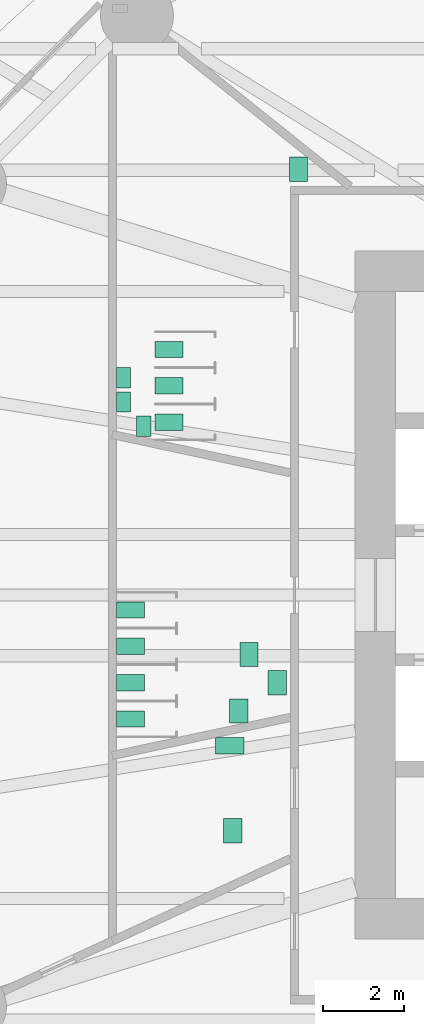
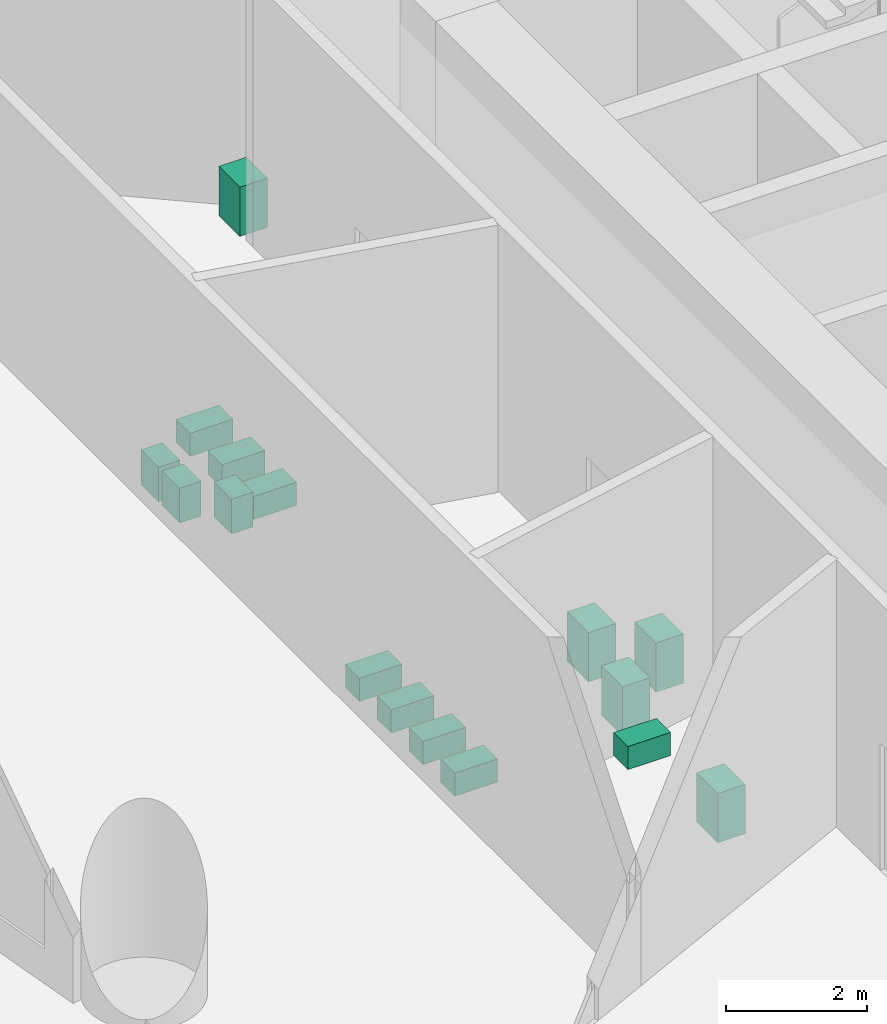
# One storey, part 16 of 17: 16 sanitary terminals.
"""IFC4 building model written with IfcOpenShell, lengths in metres."""

from ifc_helpers import new_model, si_unit, direction, frame, origin, origin_2d, place, context, subcontext, project, spatial, rectangle, extrude, element, save


model = new_model("IFC4")

# Units and contexts
model_context = context("Model", 3, precision=1e-05, world=origin(), true_north=direction((0.0, 1.0)))
body_context = subcontext(model_context, "Body", "Model", "MODEL_VIEW")
ifc_project = project(units=[si_unit("LENGTHUNIT", "METRE"), si_unit("AREAUNIT", "SQUARE_METRE"), si_unit("VOLUMEUNIT", "CUBIC_METRE"), si_unit("PLANEANGLEUNIT", "RADIAN"), si_unit("MASSUNIT", "GRAM", prefix="KILO")], contexts=[model_context])

# Site, building, storey
site_placement = place(None, origin())
site = spatial("IfcSite", under=ifc_project, at=site_placement, CompositionType="ELEMENT")
building_placement = place(site_placement, origin())
building = spatial("IfcBuilding", under=site, at=building_placement, Name="Hankou Lantern Tower", CompositionType="ELEMENT")
storey_placement = place(building_placement, frame((0.0, 0.0, 24.60009765625)))
storey = spatial("IfcBuildingStorey", under=building, at=storey_placement, Name="L04", CompositionType="ELEMENT", Elevation=24.60009765625)

# Sanitary terminals
for number, where, z_axis, x_axis, name in (
    (1, (-17.10009765625, 4.2724609375, 0.0), (0.0, 0.0, 1.0), (0.0, 1.0, 0.0), "Male WC WC pan 1"),
    (2, (-17.10009765625, 5.172607421875, 0.0), (0.0, 0.0, 1.0), (0.0, 1.0, 0.0), "Male WC WC pan 2"),
    (3, (-17.10009765625, 6.072509765625, 0.0), (0.0, 0.0, 1.0), (0.0, 1.0, 0.0), "Male WC WC pan 3"),
):
    element("IfcSanitaryTerminal", number, at=place(storey_placement, frame(where, z_axis=z_axis, x_axis=x_axis)), inside=storey, Name=name, PredefinedType="TOILETPAN", context=body_context, shape_type="SweptSolid", body=[
        extrude(rectangle(XDim=0.39990234375, YDim=0.699951171875, at=origin_2d()), origin(), (0.0, 0.0, 1.0), 0.39990234375),
    ])
for number, where, z_axis, x_axis, name in (
    (4, (-17.72509765625, 4.172607421875, -0.000244140625), (0.0, 0.0, 1.0), (0.0, 1.0, 0.0), "Male WC urinal 1"),
    (5, (-18.22509765625, 4.7724609375, -0.000244140625), (0.0, 0.0, 1.0), (0.0, 1.0, 0.0), "Male WC urinal 2"),
    (6, (-18.22509765625, 5.37255859375, -0.000244140625), (0.0, 0.0, 1.0), (0.0, 1.0, 0.0), "Male WC urinal 3"),
):
    element("IfcSanitaryTerminal", number, at=place(storey_placement, frame(where, z_axis=z_axis, x_axis=x_axis)), inside=storey, Name=name, PredefinedType="URINAL", context=body_context, shape_type="SweptSolid", body=[
        extrude(rectangle(XDim=0.5, YDim=0.35009765625, at=origin_2d()), origin(), (0.0, 0.0, 1.0), 0.60009765625),
    ])
sanitary_terminal_1_placement = place(storey_placement, frame((-13.89990234375, 10.5224609375, -0.000244140625), z_axis=(0.0, 0.0, 1.0), x_axis=(0.0, 1.0, 0.0)))
element("IfcSanitaryTerminal", 7, at=sanitary_terminal_1_placement, inside=storey, Name="Male WC wash basin 1", PredefinedType="WASHHANDBASIN", context=body_context, shape_type="SweptSolid", body=[
    extrude(rectangle(XDim=0.60009765625, YDim=0.449951171875, at=origin_2d()), origin(), (0.0, 0.0, 1.0), 0.85009765625),
])
for number, where, z_axis, x_axis, name in (
    (8, (-18.050048828125, -3.065673828125, 0.0), (0.0, 0.0, 1.0), (0.0, 1.0, 0.0), "Female WC WC pan 1"),
    (9, (-18.050048828125, -2.16552734375, 0.0), (0.0, 0.0, 1.0), (0.0, 1.0, 0.0), "Female WC WC pan 2"),
    (10, (-18.050048828125, -1.265625, 0.0), (0.0, 0.0, 1.0), (0.0, 1.0, 0.0), "Female WC WC pan 3"),
    (11, (-18.050048828125, -0.365478515625, 0.0), (0.0, 0.0, 1.0), (0.0, 1.0, 0.0), "Female WC WC pan 4"),
):
    element("IfcSanitaryTerminal", number, at=place(storey_placement, frame(where, z_axis=z_axis, x_axis=x_axis)), inside=storey, Name=name, PredefinedType="TOILETPAN", context=body_context, shape_type="SweptSolid", body=[
        extrude(rectangle(XDim=0.39990234375, YDim=0.699951171875, at=origin_2d()), origin(), (0.0, 0.0, 1.0), 0.39990234375),
    ])
for number, where, z_axis, x_axis, name in (
    (12, (-15.375, -2.865478515625, -0.000244140625), (0.0, 0.0, 1.0), (0.0, 1.0, 0.0), "Female WC wash basin 1"),
    (13, (-14.425048828125, -2.16552734375, -0.000244140625), (0.0, 0.0, 1.0), (0.0, 1.0, 0.0), "Female WC wash basin 2"),
    (14, (-15.125, -1.465576171875, -0.000244140625), (0.0, 0.0, 1.0), (0.0, 1.0, 0.0), "Female WC wash basin 3"),
):
    element("IfcSanitaryTerminal", number, at=place(storey_placement, frame(where, z_axis=z_axis, x_axis=x_axis)), inside=storey, Name=name, PredefinedType="WASHHANDBASIN", context=body_context, shape_type="SweptSolid", body=[
        extrude(rectangle(XDim=0.60009765625, YDim=0.449951171875, at=origin_2d()), origin(), (0.0, 0.0, 1.0), 0.85009765625),
    ])
sanitary_terminal_2_placement = place(storey_placement, frame((-15.60009765625, -3.722412109375, 0.0), z_axis=(0.0, 0.0, 1.0), x_axis=(0.0, -1.0, 0.0)))
element("IfcSanitaryTerminal", 15, at=sanitary_terminal_2_placement, inside=storey, Name="Accessible WC WC pan 1", PredefinedType="TOILETPAN", context=body_context, shape_type="SweptSolid", body=[
    extrude(rectangle(XDim=0.39990234375, YDim=0.699951171875, at=origin_2d()), origin(), (0.0, 0.0, 1.0), 0.39990234375),
])
sanitary_terminal_3_placement = place(storey_placement, frame((-15.52490234375, -5.822509765625, -0.000244140625), z_axis=(0.0, 0.0, 1.0), x_axis=(0.0, -1.0, 0.0)))
element("IfcSanitaryTerminal", 16, at=sanitary_terminal_3_placement, inside=storey, Name="Accessible WC wash basin 1", PredefinedType="WASHHANDBASIN", context=body_context, shape_type="SweptSolid", body=[
    extrude(rectangle(XDim=0.60009765625, YDim=0.449951171875, at=origin_2d()), origin(), (0.0, 0.0, 1.0), 0.85009765625),
])

save(model, "model.ifc")
